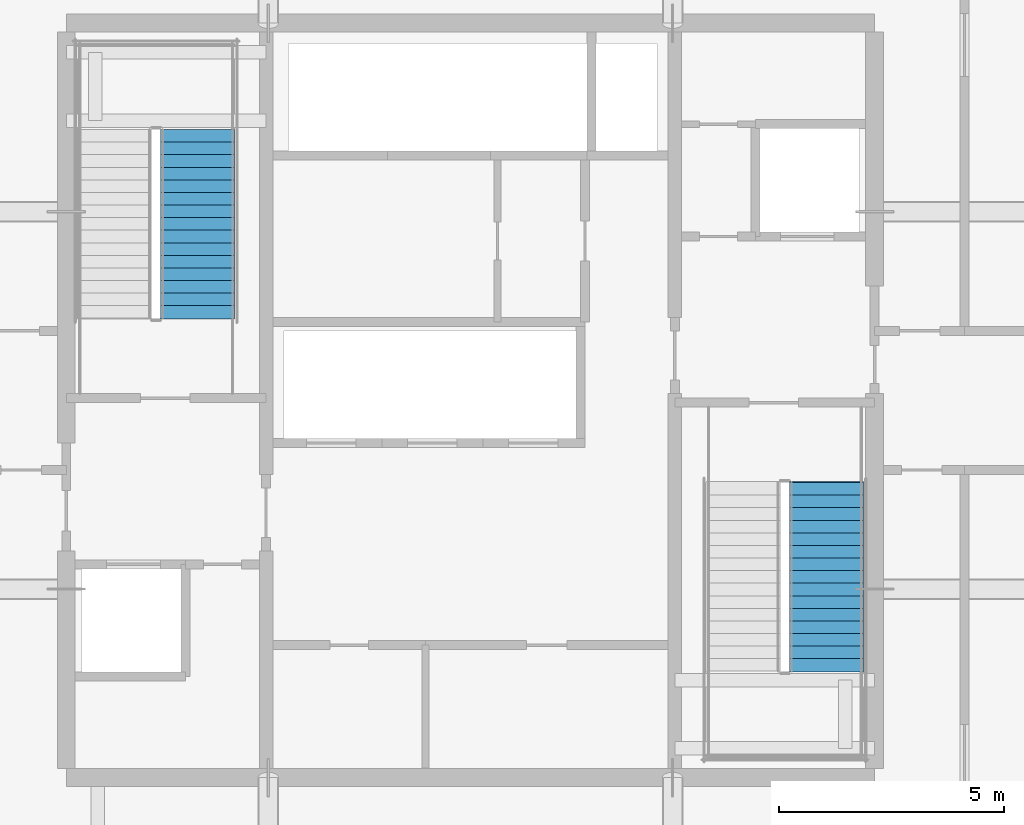
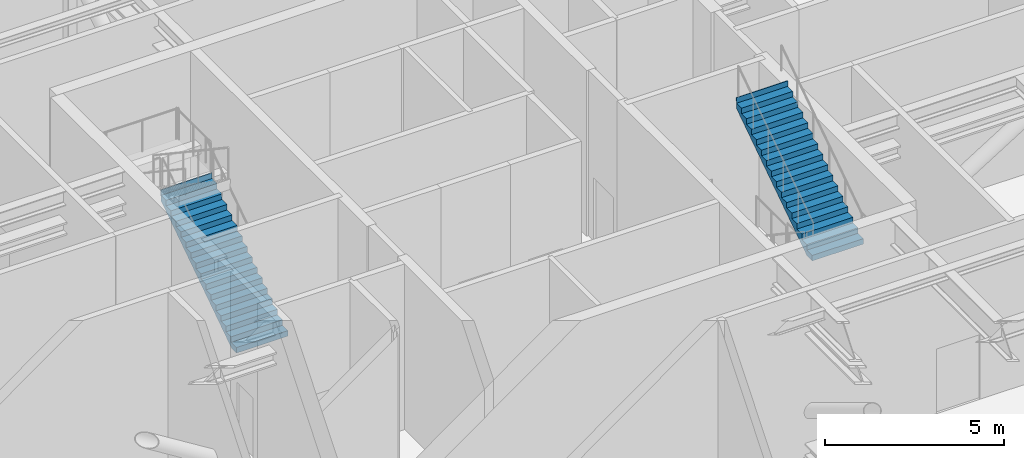
# One storey, part 19 of 22: 2 stair flights, 2 elements without a shape of their own.
"""IFC4 building model written with IfcOpenShell, lengths in metres."""

import ifcopenshell
import ifcopenshell.guid

model = None  # the IFC model being written
_history = None  # IfcOwnerHistory: only IFC2X3 demands one
_inside = {}  # id of a spatial element -> (the spatial element, [elements in it])
_under = {}  # id of a project, library or spatial element -> (it, [spatial elements below it])
_declared = {}  # id of a project -> (the project, [libraries it declares])
_typed = {}  # id of a type object -> (the type object, [elements of that type])
_made_of = {}  # id of a material, layer set ... -> (it, [elements and type objects made of it])


def new_model(schema):
    """Start an empty IFC model of exactly this schema.

    Asked for "IFC4X3", IfcOpenShell would pick the latest addendum, in which some entities
    have other attributes; the version numbers below select the first issue.
    IFC2X3 requires an IfcOwnerHistory on every rooted entity: one is made here for all.
    """
    global model, _history
    if schema == "IFC4X3":
        model = ifcopenshell.file(schema_version=(4, 3, 0, 0))
    else:
        model = ifcopenshell.file(schema=schema)
    _inside.clear()
    _under.clear()
    _declared.clear()
    _typed.clear()
    _made_of.clear()
    _history = None
    if model.schema == "IFC2X3":
        org = make("IfcOrganization", Name="unknown")
        user = make(
            "IfcPersonAndOrganization",
            ThePerson=make("IfcPerson", FamilyName="unknown"),
            TheOrganization=org,
        )
        app = make(
            "IfcApplication",
            ApplicationDeveloper=org,
            Version="unknown",
            ApplicationFullName="unknown",
            ApplicationIdentifier="unknown",
        )
        _history = make(
            "IfcOwnerHistory",
            OwningUser=user,
            OwningApplication=app,
            ChangeAction="ADDED",
            CreationDate=0,
        )
    return model


def make(cls, **values):
    """One entity of the class cls with the attributes given. An attribute that is None is left unset."""
    return model.create_entity(
        cls, **{name: value for name, value in values.items() if value is not None}
    )


def rooted(cls, **values):
    """An entity with a GlobalId (a new one), such as an element, a storey or a relation."""
    return make(cls, GlobalId=ifcopenshell.guid.new(), OwnerHistory=_history, **values)


def si_unit(unit_type, name, prefix=None):
    """IfcSIUnit, for example si_unit("LENGTHUNIT", "METRE", prefix="MILLI")."""
    return make("IfcSIUnit", UnitType=unit_type, Prefix=prefix, Name=name)


def assignment(units):
    """IfcUnitAssignment: the units of a project."""
    return None if units is None else make("IfcUnitAssignment", Units=units)


def point(xyz):
    """IfcCartesianPoint."""
    return None if xyz is None else make("IfcCartesianPoint", Coordinates=xyz)


def direction(xyz):
    """IfcDirection."""
    return None if xyz is None else make("IfcDirection", DirectionRatios=xyz)


def frame(location, z_axis=None, x_axis=None):
    """IfcAxis2Placement3D, a coordinate frame: its origin and axes. An axis left out is left unset."""
    return make(
        "IfcAxis2Placement3D",
        Location=point(location),
        Axis=direction(z_axis),
        RefDirection=direction(x_axis),
    )


def origin():
    """The frame at (0, 0, 0) with its axes left unset."""
    return frame((0.0, 0.0, 0.0))


def place(relative_to, where):
    """IfcLocalPlacement: puts the frame where relative to a parent placement (None: the world)."""
    return make(
        "IfcLocalPlacement", PlacementRelTo=relative_to, RelativePlacement=where
    )


def context(
    kind, dimensions, precision=None, world=None, true_north=None, identifier=None
):
    """IfcGeometricRepresentationContext, for example the 3D "Model" context."""
    return make(
        "IfcGeometricRepresentationContext",
        ContextIdentifier=identifier,
        ContextType=kind,
        CoordinateSpaceDimension=dimensions,
        Precision=precision,
        WorldCoordinateSystem=world,
        TrueNorth=true_north,
    )


def subcontext(parent, identifier, kind, view, scale=None):
    """IfcGeometricRepresentationSubContext, for example "Body" below "Model"."""
    return make(
        "IfcGeometricRepresentationSubContext",
        ContextIdentifier=identifier,
        ContextType=kind,
        ParentContext=parent,
        TargetScale=scale,
        TargetView=view,
    )


def project(units=None, contexts=None):
    """IfcProject with its units and contexts."""
    return rooted(
        "IfcProject",
        Name="project",
        RepresentationContexts=contexts,
        UnitsInContext=assignment(units),
    )


def spatial(cls, under=None, at=None, **own):
    """A site, building, storey or space (cls), placed at a placement, below another one or the project."""
    s = rooted(cls, ObjectPlacement=at, **own)
    if under is not None:
        _under.setdefault(under.id(), (under, []))[1].append(s)
    return s


def point_list(points):
    """IfcCartesianPointList2D or 3D."""
    cls = (
        "IfcCartesianPointList2D" if len(points[0]) == 2 else "IfcCartesianPointList3D"
    )
    return make(cls, CoordList=points)


def polygons(points, faces, closed=None, point_numbers=None):
    """IfcPolygonalFaceSet: a face is its outer loop, then its inner loops; points numbered from 1."""
    made = []
    for loops in faces:
        if len(loops) == 1:
            made.append(make("IfcIndexedPolygonalFace", CoordIndex=loops[0]))
        else:
            made.append(
                make(
                    "IfcIndexedPolygonalFaceWithVoids",
                    CoordIndex=loops[0],
                    InnerCoordIndices=loops[1:],
                )
            )
    return make(
        "IfcPolygonalFaceSet",
        Coordinates=point_list(points),
        Closed=closed,
        Faces=made,
        PnIndex=point_numbers,
    )


def shape(context_of_items, identifier, shape_type, items):
    """IfcShapeRepresentation: the items that make up one representation, for example the "Body"."""
    return make(
        "IfcShapeRepresentation",
        ContextOfItems=context_of_items,
        RepresentationIdentifier=identifier,
        RepresentationType=shape_type,
        Items=items,
    )


def material(Name=None, Category=None):
    """IfcMaterial."""
    return make("IfcMaterial", Name=Name, Category=Category)


def made_of(thing, what):
    """Note that an element or type object is made of a material, layer set ...; save() writes the relation."""
    if what is not None:
        _made_of.setdefault(what.id(), (what, []))[1].append(thing)
    return thing


def type_object(cls, material=None, **own):
    """A type object (cls), such as IfcWallType, which elements share."""
    return made_of(rooted(cls, **own), material)


def element(
    cls,
    number,
    at=None,
    inside=None,
    cuts=None,
    type_object=None,
    material=None,
    context=None,
    identifier="Body",
    shape_type=None,
    held_by="IfcProductDefinitionShape",
    body=None,
    shapes=None,
    **own,
):
    """One element of the class cls, such as IfcWall. Its Tag is "e" and its number.

    at: its placement. inside: the storey or other place that contains it. cuts: it is an
    opening in that element (IfcRelVoidsElement). A single representation is given by context,
    identifier, shape_type and body (its items); several are given by shapes. held_by: the class
    of the entity that holds the representations. save() writes the other relations.
    """
    e = rooted(cls, Tag="e%d" % number, ObjectPlacement=at, **own)
    if body is not None:
        shapes = [shape(context, identifier, shape_type, body)]
    if shapes is not None:
        e.Representation = make(held_by, Representations=shapes)
    if inside is not None:
        _inside.setdefault(inside.id(), (inside, []))[1].append(e)
    if cuts is not None:
        rooted(
            "IfcRelVoidsElement", RelatingBuildingElement=cuts, RelatedOpeningElement=e
        )
    if type_object is not None:
        _typed.setdefault(type_object.id(), (type_object, []))[1].append(e)
    return made_of(e, material)


def aggregate(whole, parts):
    """IfcRelAggregates: a whole, such as a stair, and the parts it consists of."""
    return rooted("IfcRelAggregates", RelatingObject=whole, RelatedObjects=parts)


def save(model, path):
    """Write the relations noted so far, then the file.

    IfcRelAggregates (storeys below a building ...), IfcRelContainedInSpatialStructure (elements
    in a storey), IfcRelDefinesByType, IfcRelAssociatesMaterial and IfcRelDeclares: one each for
    every whole, place, type object, material and project.
    """
    for whole, parts in _under.values():
        aggregate(whole, parts)
    for where, things in _inside.values():
        rooted(
            "IfcRelContainedInSpatialStructure",
            RelatedElements=things,
            RelatingStructure=where,
        )
    for kind, things in _typed.values():
        rooted("IfcRelDefinesByType", RelatedObjects=things, RelatingType=kind)
    for what, things in _made_of.values():
        rooted("IfcRelAssociatesMaterial", RelatedObjects=things, RelatingMaterial=what)
    for by, libraries in _declared.values():
        rooted("IfcRelDeclares", RelatingContext=by, RelatedDefinitions=libraries)
    model.write(path)


model = new_model("IFC4")

# Units and contexts
model_context = context("Model", 3, precision=1e-05, world=origin(), true_north=direction((0.0, 1.0)))
body_context = subcontext(model_context, "Body", "Model", "MODEL_VIEW")
ifc_project = project(units=[si_unit("LENGTHUNIT", "METRE"), si_unit("AREAUNIT", "SQUARE_METRE"), si_unit("VOLUMEUNIT", "CUBIC_METRE"), si_unit("PLANEANGLEUNIT", "RADIAN"), si_unit("MASSUNIT", "GRAM", prefix="KILO")], contexts=[model_context])

# Site, building, storey
site_placement = place(None, origin())
site = spatial("IfcSite", under=ifc_project, at=site_placement, CompositionType="ELEMENT")
building_placement = place(site_placement, origin())
building = spatial("IfcBuilding", under=site, at=building_placement, Name="Serunith Strait Residences", CompositionType="ELEMENT")
storey_placement = place(building_placement, frame((0.0, 0.0, 198.89990234375)))
storey = spatial("IfcBuildingStorey", under=building, at=storey_placement, Name="L50", CompositionType="ELEMENT", Elevation=198.89990234375)

# Stair, stair flight
ifc_material = material(Name="Concrete C50/60", Category="concrete")
stair_type_1 = type_object("IfcStairType", Name="STR-CORE-1", PredefinedType="HALF_TURN_STAIR", material=ifc_material)
stair_1_placement = place(storey_placement, origin())
stair_1 = element("IfcStair", 1, at=stair_1_placement, inside=storey, type_object=stair_type_1, Name="L50 Protected Escape Stair ST-1", PredefinedType="HALF_TURN_STAIR")
stair_flight_type_1 = type_object("IfcStairFlightType", Name="FLT-CORE-1", PredefinedType="STRAIGHT", material=ifc_material)
stair_flight_1_placement = place(storey_placement, frame((26.324951171875, 27.030029296875, 0.0), z_axis=(0.0, 0.0, 1.0), x_axis=(0.0, 1.0, 0.0)))
stair_flight_1 = element("IfcStairFlight", 2, at=stair_flight_1_placement, type_object=stair_flight_type_1, Name="ST-1 flight 1", NumberOfRisers=16, NumberOfTreads=15, PredefinedType="STRAIGHT", RiserHeight=0.1875, TreadLength=0.28, context=body_context, shape_type="Tessellation", body=[
    polygons([(-0.02001953125, -0.824951171875, 0.0), (-0.02001953125, -0.824951171875, 0.1875), (0.280029296875, -0.824951171875, 0.1875), (0.280029296875, -0.824951171875, 0.375), (0.56005859375, -0.824951171875, 0.375), (0.56005859375, -0.824951171875, 0.5625), (0.840087890625, -0.824951171875, 0.5625), (0.840087890625, -0.824951171875, 0.75), (1.1201171875, -0.824951171875, 0.75), (1.1201171875, -0.824951171875, 0.9375), (1.39990234375, -0.824951171875, 0.9375), (1.39990234375, -0.824951171875, 1.125), (1.679931640625, -0.824951171875, 1.125), (1.679931640625, -0.824951171875, 1.3125), (1.9599609375, -0.824951171875, 1.3125), (1.9599609375, -0.824951171875, 1.5), (2.239990234375, -0.824951171875, 1.5), (2.239990234375, -0.824951171875, 1.6875), (2.52001953125, -0.824951171875, 1.6875), (2.52001953125, -0.824951171875, 1.875), (2.800048828125, -0.824951171875, 1.875), (2.800048828125, -0.824951171875, 2.0625), (3.080078125, -0.824951171875, 2.0625), (3.080078125, -0.824951171875, 2.25), (3.360107421875, -0.824951171875, 2.25), (3.360107421875, -0.824951171875, 2.4375), (3.639892578125, -0.824951171875, 2.4375), (3.639892578125, -0.824951171875, 2.625), (3.919921875, -0.824951171875, 2.625), (3.919921875, -0.824951171875, 2.8125), (4.199951171875, -0.824951171875, 2.8125), (4.199951171875, -0.824951171875, 3.0), (4.219970703125, -0.824951171875, 3.0), (4.219970703125, -0.824951171875, 2.93994140625), (4.199951171875, -0.824951171875, 2.632080078125), (0.26953125, -0.824951171875, 0.0), (-0.02001953125, -0.41259765625, 0.0), (-0.02001953125, -0.41259765625, 0.1875), (0.280029296875, -0.41259765625, 0.1875), (0.280029296875, -0.41259765625, 0.375), (0.56005859375, -0.41259765625, 0.375), (0.56005859375, -0.41259765625, 0.5625), (0.840087890625, -0.41259765625, 0.5625), (0.840087890625, -0.41259765625, 0.75), (1.1201171875, -0.41259765625, 0.75), (1.1201171875, -0.41259765625, 0.9375), (1.39990234375, -0.41259765625, 0.9375), (1.39990234375, -0.41259765625, 1.125), (1.679931640625, -0.41259765625, 1.125), (1.679931640625, -0.41259765625, 1.3125), (1.9599609375, -0.41259765625, 1.3125), (1.9599609375, -0.41259765625, 1.5), (2.239990234375, -0.41259765625, 1.5), (2.239990234375, -0.41259765625, 1.6875), (2.52001953125, -0.41259765625, 1.6875), (2.52001953125, -0.41259765625, 1.875), (2.800048828125, -0.41259765625, 1.875), (2.800048828125, -0.41259765625, 2.0625), (3.080078125, -0.41259765625, 2.0625), (3.080078125, -0.41259765625, 2.25), (3.360107421875, -0.41259765625, 2.25), (3.360107421875, -0.41259765625, 2.4375), (3.639892578125, -0.41259765625, 2.4375), (3.639892578125, -0.41259765625, 2.625), (3.919921875, -0.41259765625, 2.625), (3.919921875, -0.41259765625, 2.8125), (4.199951171875, -0.41259765625, 2.8125), (4.199951171875, -0.41259765625, 3.0), (4.219970703125, -0.41259765625, 3.0), (4.219970703125, -0.41259765625, 2.93994140625), (4.199951171875, -0.41259765625, 2.632080078125), (0.26953125, -0.41259765625, 0.0), (-0.02001953125, 0.0, 0.0), (-0.02001953125, 0.0, 0.1875), (0.280029296875, 0.0, 0.1875), (0.280029296875, 0.0, 0.375), (0.56005859375, 0.0, 0.375), (0.56005859375, 0.0, 0.5625), (0.840087890625, 0.0, 0.5625), (0.840087890625, 0.0, 0.75), (1.1201171875, 0.0, 0.75), (1.1201171875, 0.0, 0.9375), (1.39990234375, 0.0, 0.9375), (1.39990234375, 0.0, 1.125), (1.679931640625, 0.0, 1.125), (1.679931640625, 0.0, 1.3125), (1.9599609375, 0.0, 1.3125), (1.9599609375, 0.0, 1.5), (2.239990234375, 0.0, 1.5), (2.239990234375, 0.0, 1.6875), (2.52001953125, 0.0, 1.6875), (2.52001953125, 0.0, 1.875), (2.800048828125, 0.0, 1.875), (2.800048828125, 0.0, 2.0625), (3.080078125, 0.0, 2.0625), (3.080078125, 0.0, 2.25), (3.360107421875, 0.0, 2.25), (3.360107421875, 0.0, 2.4375), (3.639892578125, 0.0, 2.4375), (3.639892578125, 0.0, 2.625), (3.919921875, 0.0, 2.625), (3.919921875, 0.0, 2.8125), (4.199951171875, 0.0, 2.8125), (4.199951171875, 0.0, 3.0), (4.219970703125, 0.0, 3.0), (4.219970703125, 0.0, 2.93994140625), (4.199951171875, 0.0, 2.632080078125), (0.26953125, 0.0, 0.0), (-0.02001953125, 0.41259765625, 0.0), (-0.02001953125, 0.41259765625, 0.1875), (0.280029296875, 0.41259765625, 0.1875), (0.280029296875, 0.41259765625, 0.375), (0.56005859375, 0.41259765625, 0.375), (0.56005859375, 0.41259765625, 0.5625), (0.840087890625, 0.41259765625, 0.5625), (0.840087890625, 0.41259765625, 0.75), (1.1201171875, 0.41259765625, 0.75), (1.1201171875, 0.41259765625, 0.9375), (1.39990234375, 0.41259765625, 0.9375), (1.39990234375, 0.41259765625, 1.125), (1.679931640625, 0.41259765625, 1.125), (1.679931640625, 0.41259765625, 1.3125), (1.9599609375, 0.41259765625, 1.3125), (1.9599609375, 0.41259765625, 1.5), (2.239990234375, 0.41259765625, 1.5), (2.239990234375, 0.41259765625, 1.6875), (2.52001953125, 0.41259765625, 1.6875), (2.52001953125, 0.41259765625, 1.875), (2.800048828125, 0.41259765625, 1.875), (2.800048828125, 0.41259765625, 2.0625), (3.080078125, 0.41259765625, 2.0625), (3.080078125, 0.41259765625, 2.25), (3.360107421875, 0.41259765625, 2.25), (3.360107421875, 0.41259765625, 2.4375), (3.639892578125, 0.41259765625, 2.4375), (3.639892578125, 0.41259765625, 2.625), (3.919921875, 0.41259765625, 2.625), (3.919921875, 0.41259765625, 2.8125), (4.199951171875, 0.41259765625, 2.8125), (4.199951171875, 0.41259765625, 3.0), (4.219970703125, 0.41259765625, 3.0), (4.219970703125, 0.41259765625, 2.93994140625), (4.199951171875, 0.41259765625, 2.632080078125), (0.26953125, 0.41259765625, 0.0), (-0.02001953125, 0.824951171875, 0.0), (-0.02001953125, 0.824951171875, 0.1875), (0.280029296875, 0.824951171875, 0.1875), (0.280029296875, 0.824951171875, 0.375), (0.56005859375, 0.824951171875, 0.375), (0.56005859375, 0.824951171875, 0.5625), (0.840087890625, 0.824951171875, 0.5625), (0.840087890625, 0.824951171875, 0.75), (1.1201171875, 0.824951171875, 0.75), (1.1201171875, 0.824951171875, 0.9375), (1.39990234375, 0.824951171875, 0.9375), (1.39990234375, 0.824951171875, 1.125), (1.679931640625, 0.824951171875, 1.125), (1.679931640625, 0.824951171875, 1.3125), (1.9599609375, 0.824951171875, 1.3125), (1.9599609375, 0.824951171875, 1.5), (2.239990234375, 0.824951171875, 1.5), (2.239990234375, 0.824951171875, 1.6875), (2.52001953125, 0.824951171875, 1.6875), (2.52001953125, 0.824951171875, 1.875), (2.800048828125, 0.824951171875, 1.875), (2.800048828125, 0.824951171875, 2.0625), (3.080078125, 0.824951171875, 2.0625), (3.080078125, 0.824951171875, 2.25), (3.360107421875, 0.824951171875, 2.25), (3.360107421875, 0.824951171875, 2.4375), (3.639892578125, 0.824951171875, 2.4375), (3.639892578125, 0.824951171875, 2.625), (3.919921875, 0.824951171875, 2.625), (3.919921875, 0.824951171875, 2.8125), (4.199951171875, 0.824951171875, 2.8125), (4.199951171875, 0.824951171875, 3.0), (4.219970703125, 0.824951171875, 3.0), (4.219970703125, 0.824951171875, 2.93994140625), (4.199951171875, 0.824951171875, 2.632080078125), (0.26953125, 0.824951171875, 0.0)], [[[1, 2, 38, 37]], [[2, 3, 39, 38]], [[3, 4, 40, 39]], [[4, 5, 41, 40]], [[5, 6, 42, 41]], [[6, 7, 43, 42]], [[7, 8, 44, 43]], [[8, 9, 45, 44]], [[9, 10, 46, 45]], [[10, 11, 47, 46]], [[11, 12, 48, 47]], [[12, 13, 49, 48]], [[13, 14, 50, 49]], [[14, 15, 51, 50]], [[15, 16, 52, 51]], [[16, 17, 53, 52]], [[17, 18, 54, 53]], [[18, 19, 55, 54]], [[19, 20, 56, 55]], [[20, 21, 57, 56]], [[21, 22, 58, 57]], [[22, 23, 59, 58]], [[23, 24, 60, 59]], [[24, 25, 61, 60]], [[25, 26, 62, 61]], [[26, 27, 63, 62]], [[27, 28, 64, 63]], [[28, 29, 65, 64]], [[29, 30, 66, 65]], [[30, 31, 67, 66]], [[31, 32, 68, 67]], [[32, 33, 69, 68]], [[33, 34, 70, 69]], [[34, 35, 71, 70]], [[35, 36, 72, 71]], [[36, 1, 37, 72]], [[37, 38, 74, 73]], [[38, 39, 75, 74]], [[39, 40, 76, 75]], [[40, 41, 77, 76]], [[41, 42, 78, 77]], [[42, 43, 79, 78]], [[43, 44, 80, 79]], [[44, 45, 81, 80]], [[45, 46, 82, 81]], [[46, 47, 83, 82]], [[47, 48, 84, 83]], [[48, 49, 85, 84]], [[49, 50, 86, 85]], [[50, 51, 87, 86]], [[51, 52, 88, 87]], [[52, 53, 89, 88]], [[53, 54, 90, 89]], [[54, 55, 91, 90]], [[55, 56, 92, 91]], [[56, 57, 93, 92]], [[57, 58, 94, 93]], [[58, 59, 95, 94]], [[59, 60, 96, 95]], [[60, 61, 97, 96]], [[61, 62, 98, 97]], [[62, 63, 99, 98]], [[63, 64, 100, 99]], [[64, 65, 101, 100]], [[65, 66, 102, 101]], [[66, 67, 103, 102]], [[67, 68, 104, 103]], [[68, 69, 105, 104]], [[69, 70, 106, 105]], [[70, 71, 107, 106]], [[71, 72, 108, 107]], [[72, 37, 73, 108]], [[73, 74, 110, 109]], [[74, 75, 111, 110]], [[75, 76, 112, 111]], [[76, 77, 113, 112]], [[77, 78, 114, 113]], [[78, 79, 115, 114]], [[79, 80, 116, 115]], [[80, 81, 117, 116]], [[81, 82, 118, 117]], [[82, 83, 119, 118]], [[83, 84, 120, 119]], [[84, 85, 121, 120]], [[85, 86, 122, 121]], [[86, 87, 123, 122]], [[87, 88, 124, 123]], [[88, 89, 125, 124]], [[89, 90, 126, 125]], [[90, 91, 127, 126]], [[91, 92, 128, 127]], [[92, 93, 129, 128]], [[93, 94, 130, 129]], [[94, 95, 131, 130]], [[95, 96, 132, 131]], [[96, 97, 133, 132]], [[97, 98, 134, 133]], [[98, 99, 135, 134]], [[99, 100, 136, 135]], [[100, 101, 137, 136]], [[101, 102, 138, 137]], [[102, 103, 139, 138]], [[103, 104, 140, 139]], [[104, 105, 141, 140]], [[105, 106, 142, 141]], [[106, 107, 143, 142]], [[107, 108, 144, 143]], [[108, 73, 109, 144]], [[109, 110, 146, 145]], [[110, 111, 147, 146]], [[111, 112, 148, 147]], [[112, 113, 149, 148]], [[113, 114, 150, 149]], [[114, 115, 151, 150]], [[115, 116, 152, 151]], [[116, 117, 153, 152]], [[117, 118, 154, 153]], [[118, 119, 155, 154]], [[119, 120, 156, 155]], [[120, 121, 157, 156]], [[121, 122, 158, 157]], [[122, 123, 159, 158]], [[123, 124, 160, 159]], [[124, 125, 161, 160]], [[125, 126, 162, 161]], [[126, 127, 163, 162]], [[127, 128, 164, 163]], [[128, 129, 165, 164]], [[129, 130, 166, 165]], [[130, 131, 167, 166]], [[131, 132, 168, 167]], [[132, 133, 169, 168]], [[133, 134, 170, 169]], [[134, 135, 171, 170]], [[135, 136, 172, 171]], [[136, 137, 173, 172]], [[137, 138, 174, 173]], [[138, 139, 175, 174]], [[139, 140, 176, 175]], [[140, 141, 177, 176]], [[141, 142, 178, 177]], [[142, 143, 179, 178]], [[143, 144, 180, 179]], [[144, 109, 145, 180]], [[36, 35, 34, 33, 32, 31, 30, 29, 28, 27, 26, 25, 24, 23, 22, 21, 20, 19, 18, 17, 16, 15, 14, 13, 12, 11, 10, 9, 8, 7, 6, 5, 4, 3, 2, 1]], [[145, 146, 147, 148, 149, 150, 151, 152, 153, 154, 155, 156, 157, 158, 159, 160, 161, 162, 163, 164, 165, 166, 167, 168, 169, 170, 171, 172, 173, 174, 175, 176, 177, 178, 179, 180]]], closed=True),
])
aggregate(stair_1, [stair_flight_1])

stair_type_2 = type_object("IfcStairType", Name="STR-CORE-2", PredefinedType="HALF_TURN_STAIR", material=ifc_material)
stair_2_placement = place(storey_placement, origin())
stair_2 = element("IfcStair", 3, at=stair_2_placement, inside=storey, type_object=stair_type_2, Name="L50 Protected Escape Stair ST-2", PredefinedType="HALF_TURN_STAIR")
stair_flight_type_2 = type_object("IfcStairFlightType", Name="FLT-CORE-2", PredefinedType="STRAIGHT", material=ifc_material)
stair_flight_2_placement = place(storey_placement, frame((40.324951171875, 19.169921875, 3.0), z_axis=(0.0, 0.0, 1.0), x_axis=(0.0, 1.0, 0.0)))
stair_flight_2 = element("IfcStairFlight", 4, at=stair_flight_2_placement, type_object=stair_flight_type_2, Name="ST-2 flight 2", NumberOfRisers=16, NumberOfTreads=15, PredefinedType="STRAIGHT", RiserHeight=0.1875, TreadLength=0.28, context=body_context, shape_type="Tessellation", body=[
    polygons([(-0.02001953125, -0.824951171875, 0.0), (-0.02001953125, -0.824951171875, 0.1875), (0.280029296875, -0.824951171875, 0.1875), (0.280029296875, -0.824951171875, 0.375), (0.56005859375, -0.824951171875, 0.375), (0.56005859375, -0.824951171875, 0.5625), (0.840087890625, -0.824951171875, 0.5625), (0.840087890625, -0.824951171875, 0.75), (1.1201171875, -0.824951171875, 0.75), (1.1201171875, -0.824951171875, 0.9375), (1.39990234375, -0.824951171875, 0.9375), (1.39990234375, -0.824951171875, 1.125), (1.679931640625, -0.824951171875, 1.125), (1.679931640625, -0.824951171875, 1.3125), (1.9599609375, -0.824951171875, 1.3125), (1.9599609375, -0.824951171875, 1.5), (2.239990234375, -0.824951171875, 1.5), (2.239990234375, -0.824951171875, 1.6875), (2.52001953125, -0.824951171875, 1.6875), (2.52001953125, -0.824951171875, 1.875), (2.800048828125, -0.824951171875, 1.875), (2.800048828125, -0.824951171875, 2.0625), (3.080078125, -0.824951171875, 2.0625), (3.080078125, -0.824951171875, 2.25), (3.360107421875, -0.824951171875, 2.25), (3.360107421875, -0.824951171875, 2.4375), (3.639892578125, -0.824951171875, 2.4375), (3.639892578125, -0.824951171875, 2.625), (3.919921875, -0.824951171875, 2.625), (3.919921875, -0.824951171875, 2.8125), (4.199951171875, -0.824951171875, 2.8125), (4.199951171875, -0.824951171875, 3.0), (4.219970703125, -0.824951171875, 3.0), (4.219970703125, -0.824951171875, 2.93994140625), (4.199951171875, -0.824951171875, 2.632080078125), (0.26953125, -0.824951171875, 0.0), (-0.02001953125, -0.41259765625, 0.0), (-0.02001953125, -0.41259765625, 0.1875), (0.280029296875, -0.41259765625, 0.1875), (0.280029296875, -0.41259765625, 0.375), (0.56005859375, -0.41259765625, 0.375), (0.56005859375, -0.41259765625, 0.5625), (0.840087890625, -0.41259765625, 0.5625), (0.840087890625, -0.41259765625, 0.75), (1.1201171875, -0.41259765625, 0.75), (1.1201171875, -0.41259765625, 0.9375), (1.39990234375, -0.41259765625, 0.9375), (1.39990234375, -0.41259765625, 1.125), (1.679931640625, -0.41259765625, 1.125), (1.679931640625, -0.41259765625, 1.3125), (1.9599609375, -0.41259765625, 1.3125), (1.9599609375, -0.41259765625, 1.5), (2.239990234375, -0.41259765625, 1.5), (2.239990234375, -0.41259765625, 1.6875), (2.52001953125, -0.41259765625, 1.6875), (2.52001953125, -0.41259765625, 1.875), (2.800048828125, -0.41259765625, 1.875), (2.800048828125, -0.41259765625, 2.0625), (3.080078125, -0.41259765625, 2.0625), (3.080078125, -0.41259765625, 2.25), (3.360107421875, -0.41259765625, 2.25), (3.360107421875, -0.41259765625, 2.4375), (3.639892578125, -0.41259765625, 2.4375), (3.639892578125, -0.41259765625, 2.625), (3.919921875, -0.41259765625, 2.625), (3.919921875, -0.41259765625, 2.8125), (4.199951171875, -0.41259765625, 2.8125), (4.199951171875, -0.41259765625, 3.0), (4.219970703125, -0.41259765625, 3.0), (4.219970703125, -0.41259765625, 2.93994140625), (4.199951171875, -0.41259765625, 2.632080078125), (0.26953125, -0.41259765625, 0.0), (-0.02001953125, 0.0, 0.0), (-0.02001953125, 0.0, 0.1875), (0.280029296875, 0.0, 0.1875), (0.280029296875, 0.0, 0.375), (0.56005859375, 0.0, 0.375), (0.56005859375, 0.0, 0.5625), (0.840087890625, 0.0, 0.5625), (0.840087890625, 0.0, 0.75), (1.1201171875, 0.0, 0.75), (1.1201171875, 0.0, 0.9375), (1.39990234375, 0.0, 0.9375), (1.39990234375, 0.0, 1.125), (1.679931640625, 0.0, 1.125), (1.679931640625, 0.0, 1.3125), (1.9599609375, 0.0, 1.3125), (1.9599609375, 0.0, 1.5), (2.239990234375, 0.0, 1.5), (2.239990234375, 0.0, 1.6875), (2.52001953125, 0.0, 1.6875), (2.52001953125, 0.0, 1.875), (2.800048828125, 0.0, 1.875), (2.800048828125, 0.0, 2.0625), (3.080078125, 0.0, 2.0625), (3.080078125, 0.0, 2.25), (3.360107421875, 0.0, 2.25), (3.360107421875, 0.0, 2.4375), (3.639892578125, 0.0, 2.4375), (3.639892578125, 0.0, 2.625), (3.919921875, 0.0, 2.625), (3.919921875, 0.0, 2.8125), (4.199951171875, 0.0, 2.8125), (4.199951171875, 0.0, 3.0), (4.219970703125, 0.0, 3.0), (4.219970703125, 0.0, 2.93994140625), (4.199951171875, 0.0, 2.632080078125), (0.26953125, 0.0, 0.0), (-0.02001953125, 0.41259765625, 0.0), (-0.02001953125, 0.41259765625, 0.1875), (0.280029296875, 0.41259765625, 0.1875), (0.280029296875, 0.41259765625, 0.375), (0.56005859375, 0.41259765625, 0.375), (0.56005859375, 0.41259765625, 0.5625), (0.840087890625, 0.41259765625, 0.5625), (0.840087890625, 0.41259765625, 0.75), (1.1201171875, 0.41259765625, 0.75), (1.1201171875, 0.41259765625, 0.9375), (1.39990234375, 0.41259765625, 0.9375), (1.39990234375, 0.41259765625, 1.125), (1.679931640625, 0.41259765625, 1.125), (1.679931640625, 0.41259765625, 1.3125), (1.9599609375, 0.41259765625, 1.3125), (1.9599609375, 0.41259765625, 1.5), (2.239990234375, 0.41259765625, 1.5), (2.239990234375, 0.41259765625, 1.6875), (2.52001953125, 0.41259765625, 1.6875), (2.52001953125, 0.41259765625, 1.875), (2.800048828125, 0.41259765625, 1.875), (2.800048828125, 0.41259765625, 2.0625), (3.080078125, 0.41259765625, 2.0625), (3.080078125, 0.41259765625, 2.25), (3.360107421875, 0.41259765625, 2.25), (3.360107421875, 0.41259765625, 2.4375), (3.639892578125, 0.41259765625, 2.4375), (3.639892578125, 0.41259765625, 2.625), (3.919921875, 0.41259765625, 2.625), (3.919921875, 0.41259765625, 2.8125), (4.199951171875, 0.41259765625, 2.8125), (4.199951171875, 0.41259765625, 3.0), (4.219970703125, 0.41259765625, 3.0), (4.219970703125, 0.41259765625, 2.93994140625), (4.199951171875, 0.41259765625, 2.632080078125), (0.26953125, 0.41259765625, 0.0), (-0.02001953125, 0.824951171875, 0.0), (-0.02001953125, 0.824951171875, 0.1875), (0.280029296875, 0.824951171875, 0.1875), (0.280029296875, 0.824951171875, 0.375), (0.56005859375, 0.824951171875, 0.375), (0.56005859375, 0.824951171875, 0.5625), (0.840087890625, 0.824951171875, 0.5625), (0.840087890625, 0.824951171875, 0.75), (1.1201171875, 0.824951171875, 0.75), (1.1201171875, 0.824951171875, 0.9375), (1.39990234375, 0.824951171875, 0.9375), (1.39990234375, 0.824951171875, 1.125), (1.679931640625, 0.824951171875, 1.125), (1.679931640625, 0.824951171875, 1.3125), (1.9599609375, 0.824951171875, 1.3125), (1.9599609375, 0.824951171875, 1.5), (2.239990234375, 0.824951171875, 1.5), (2.239990234375, 0.824951171875, 1.6875), (2.52001953125, 0.824951171875, 1.6875), (2.52001953125, 0.824951171875, 1.875), (2.800048828125, 0.824951171875, 1.875), (2.800048828125, 0.824951171875, 2.0625), (3.080078125, 0.824951171875, 2.0625), (3.080078125, 0.824951171875, 2.25), (3.360107421875, 0.824951171875, 2.25), (3.360107421875, 0.824951171875, 2.4375), (3.639892578125, 0.824951171875, 2.4375), (3.639892578125, 0.824951171875, 2.625), (3.919921875, 0.824951171875, 2.625), (3.919921875, 0.824951171875, 2.8125), (4.199951171875, 0.824951171875, 2.8125), (4.199951171875, 0.824951171875, 3.0), (4.219970703125, 0.824951171875, 3.0), (4.219970703125, 0.824951171875, 2.93994140625), (4.199951171875, 0.824951171875, 2.632080078125), (0.26953125, 0.824951171875, 0.0)], [[[1, 2, 38, 37]], [[2, 3, 39, 38]], [[3, 4, 40, 39]], [[4, 5, 41, 40]], [[5, 6, 42, 41]], [[6, 7, 43, 42]], [[7, 8, 44, 43]], [[8, 9, 45, 44]], [[9, 10, 46, 45]], [[10, 11, 47, 46]], [[11, 12, 48, 47]], [[12, 13, 49, 48]], [[13, 14, 50, 49]], [[14, 15, 51, 50]], [[15, 16, 52, 51]], [[16, 17, 53, 52]], [[17, 18, 54, 53]], [[18, 19, 55, 54]], [[19, 20, 56, 55]], [[20, 21, 57, 56]], [[21, 22, 58, 57]], [[22, 23, 59, 58]], [[23, 24, 60, 59]], [[24, 25, 61, 60]], [[25, 26, 62, 61]], [[26, 27, 63, 62]], [[27, 28, 64, 63]], [[28, 29, 65, 64]], [[29, 30, 66, 65]], [[30, 31, 67, 66]], [[31, 32, 68, 67]], [[32, 33, 69, 68]], [[33, 34, 70, 69]], [[34, 35, 71, 70]], [[35, 36, 72, 71]], [[36, 1, 37, 72]], [[37, 38, 74, 73]], [[38, 39, 75, 74]], [[39, 40, 76, 75]], [[40, 41, 77, 76]], [[41, 42, 78, 77]], [[42, 43, 79, 78]], [[43, 44, 80, 79]], [[44, 45, 81, 80]], [[45, 46, 82, 81]], [[46, 47, 83, 82]], [[47, 48, 84, 83]], [[48, 49, 85, 84]], [[49, 50, 86, 85]], [[50, 51, 87, 86]], [[51, 52, 88, 87]], [[52, 53, 89, 88]], [[53, 54, 90, 89]], [[54, 55, 91, 90]], [[55, 56, 92, 91]], [[56, 57, 93, 92]], [[57, 58, 94, 93]], [[58, 59, 95, 94]], [[59, 60, 96, 95]], [[60, 61, 97, 96]], [[61, 62, 98, 97]], [[62, 63, 99, 98]], [[63, 64, 100, 99]], [[64, 65, 101, 100]], [[65, 66, 102, 101]], [[66, 67, 103, 102]], [[67, 68, 104, 103]], [[68, 69, 105, 104]], [[69, 70, 106, 105]], [[70, 71, 107, 106]], [[71, 72, 108, 107]], [[72, 37, 73, 108]], [[73, 74, 110, 109]], [[74, 75, 111, 110]], [[75, 76, 112, 111]], [[76, 77, 113, 112]], [[77, 78, 114, 113]], [[78, 79, 115, 114]], [[79, 80, 116, 115]], [[80, 81, 117, 116]], [[81, 82, 118, 117]], [[82, 83, 119, 118]], [[83, 84, 120, 119]], [[84, 85, 121, 120]], [[85, 86, 122, 121]], [[86, 87, 123, 122]], [[87, 88, 124, 123]], [[88, 89, 125, 124]], [[89, 90, 126, 125]], [[90, 91, 127, 126]], [[91, 92, 128, 127]], [[92, 93, 129, 128]], [[93, 94, 130, 129]], [[94, 95, 131, 130]], [[95, 96, 132, 131]], [[96, 97, 133, 132]], [[97, 98, 134, 133]], [[98, 99, 135, 134]], [[99, 100, 136, 135]], [[100, 101, 137, 136]], [[101, 102, 138, 137]], [[102, 103, 139, 138]], [[103, 104, 140, 139]], [[104, 105, 141, 140]], [[105, 106, 142, 141]], [[106, 107, 143, 142]], [[107, 108, 144, 143]], [[108, 73, 109, 144]], [[109, 110, 146, 145]], [[110, 111, 147, 146]], [[111, 112, 148, 147]], [[112, 113, 149, 148]], [[113, 114, 150, 149]], [[114, 115, 151, 150]], [[115, 116, 152, 151]], [[116, 117, 153, 152]], [[117, 118, 154, 153]], [[118, 119, 155, 154]], [[119, 120, 156, 155]], [[120, 121, 157, 156]], [[121, 122, 158, 157]], [[122, 123, 159, 158]], [[123, 124, 160, 159]], [[124, 125, 161, 160]], [[125, 126, 162, 161]], [[126, 127, 163, 162]], [[127, 128, 164, 163]], [[128, 129, 165, 164]], [[129, 130, 166, 165]], [[130, 131, 167, 166]], [[131, 132, 168, 167]], [[132, 133, 169, 168]], [[133, 134, 170, 169]], [[134, 135, 171, 170]], [[135, 136, 172, 171]], [[136, 137, 173, 172]], [[137, 138, 174, 173]], [[138, 139, 175, 174]], [[139, 140, 176, 175]], [[140, 141, 177, 176]], [[141, 142, 178, 177]], [[142, 143, 179, 178]], [[143, 144, 180, 179]], [[144, 109, 145, 180]], [[36, 35, 34, 33, 32, 31, 30, 29, 28, 27, 26, 25, 24, 23, 22, 21, 20, 19, 18, 17, 16, 15, 14, 13, 12, 11, 10, 9, 8, 7, 6, 5, 4, 3, 2, 1]], [[145, 146, 147, 148, 149, 150, 151, 152, 153, 154, 155, 156, 157, 158, 159, 160, 161, 162, 163, 164, 165, 166, 167, 168, 169, 170, 171, 172, 173, 174, 175, 176, 177, 178, 179, 180]]], closed=True),
])
aggregate(stair_2, [stair_flight_2])

save(model, "model.ifc")
